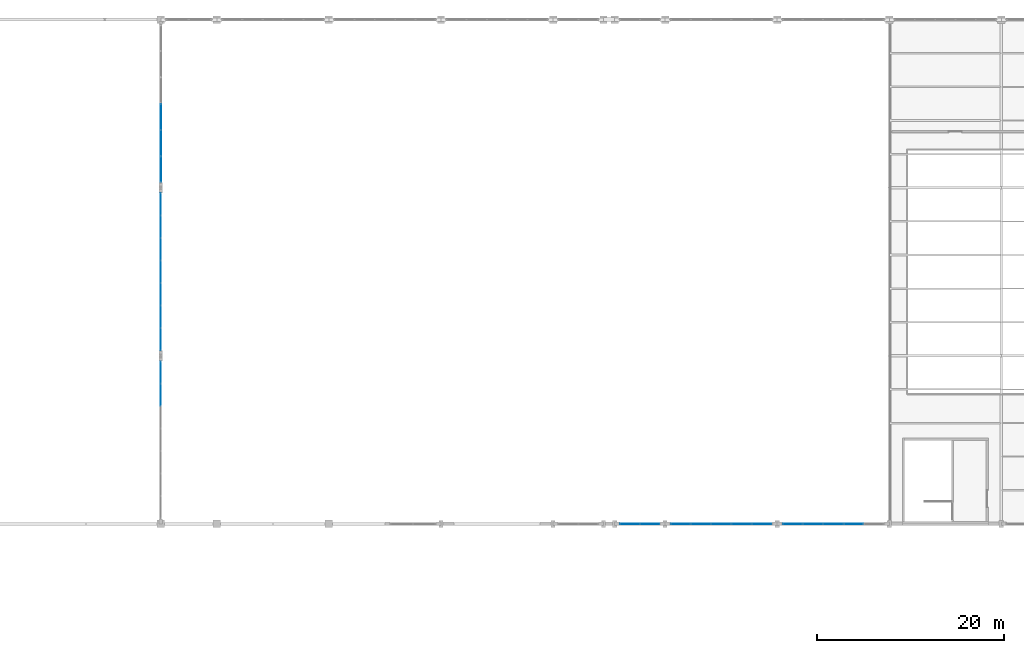
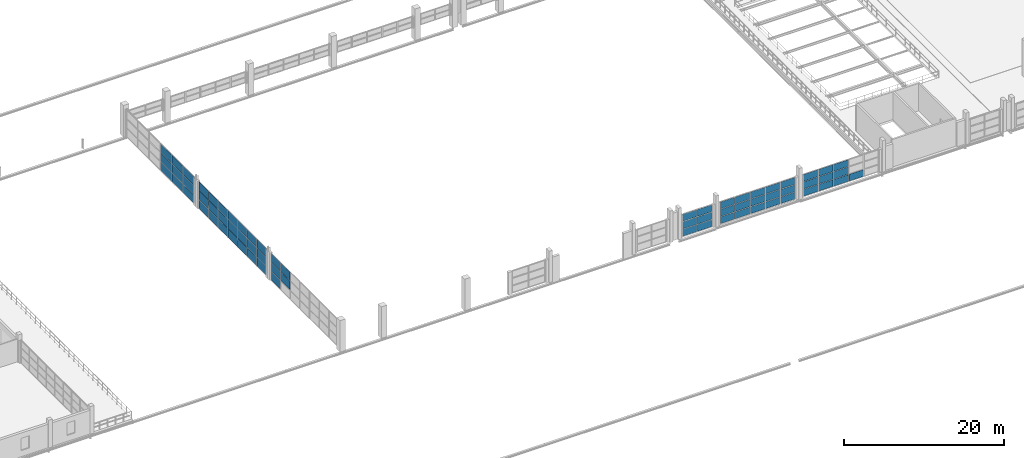
# One storey, part 71 of 86: 66 plates, 6 elements without a shape of their own.
"""IFC4 building model written with IfcOpenShell, lengths in metres."""

from ifc_helpers import new_model, si_unit, direction, frame, origin, origin_2d, place, context, subcontext, project, spatial, rectangle, extrude, material, layer, layer_set, type_object, element, aggregate, save


model = new_model("IFC4")

# Units and contexts
model_context = context("Model", 3, precision=1e-05, world=origin(), true_north=direction((0.0, 1.0)))
body_context = subcontext(model_context, "Body", "Model", "MODEL_VIEW")
ifc_project = project(units=[si_unit("LENGTHUNIT", "METRE"), si_unit("AREAUNIT", "SQUARE_METRE"), si_unit("VOLUMEUNIT", "CUBIC_METRE"), si_unit("PLANEANGLEUNIT", "RADIAN"), si_unit("MASSUNIT", "GRAM", prefix="KILO")], contexts=[model_context])

# Site, building, storey
site_placement = place(None, origin())
site = spatial("IfcSite", under=ifc_project, at=site_placement, CompositionType="ELEMENT")
building_placement = place(site_placement, origin())
building = spatial("IfcBuilding", under=site, at=building_placement, Name="Zilviju Railside Exhibition Hall", CompositionType="ELEMENT")
storey_placement = place(building_placement, frame((0.0, 0.0, 12.60009765625)))
storey = spatial("IfcBuildingStorey", under=building, at=storey_placement, Name="L04", CompositionType="ELEMENT", Elevation=12.60009765625)

# Curtain wall, plates
ifc_material_1 = material(Name="Thermally broken aluminium-steel triple-glazed curtain wall", Category="steel")
ifc_layer_1 = layer(ifc_material_1, 0.179931640625)
ifc_layer_set_1 = layer_set([ifc_layer_1], Name="Thermally broken aluminium-steel triple-glazed curtain wall")
curtain_wall_type_1 = type_object("IfcCurtainWallType", Name="CW-BAY-13", PredefinedType="USERDEFINED", material=ifc_layer_set_1)
curtain_wall_1_placement = place(storey_placement, origin())
curtain_wall_1 = element("IfcCurtainWall", 1, at=curtain_wall_1_placement, inside=storey, type_object=curtain_wall_type_1, Name="North Hall Garden Court Curtain Wall L04 (127..132)", ObjectType="GLAZED CURTAIN WALL", PredefinedType="USERDEFINED")
ifc_material_2 = material(Name="Laminated acoustic double-glazed porch unit", Category="glass")
ifc_layer_2 = layer(ifc_material_2, 0.031982421875)
ifc_layer_set_2 = layer_set([ifc_layer_2], Name="Laminated acoustic double-glazed porch unit")
plate_type_1 = type_object("IfcPlateType", Name="CWP-IGU-32", PredefinedType="CURTAIN_PANEL", material=ifc_layer_set_2)
plate_1_placement = place(storey_placement, frame((130.360107421875, 84.0, 0.059814453125), z_axis=(0.0, 0.0, 1.0), x_axis=(-1.0, 0.0, 0.0)))
plate_1 = element("IfcPlate", 2, at=plate_1_placement, type_object=plate_type_1, Name="CW-13 panel 1.1", PredefinedType="CURTAIN_PANEL", context=body_context, shape_type="SweptSolid", body=[
    extrude(rectangle(XDim=2.06005859375, YDim=0.031982421875, at=origin_2d()), origin(), (0.0, 0.0, 1.0), 1.06005859375),
])
plate_2_placement = place(storey_placement, frame((130.360107421875, 84.0, 1.1796875), z_axis=(0.0, 0.0, 1.0), x_axis=(-1.0, 0.0, 0.0)))
plate_2 = element("IfcPlate", 3, at=plate_2_placement, type_object=plate_type_1, Name="CW-13 panel 1.2", PredefinedType="CURTAIN_PANEL", context=body_context, shape_type="SweptSolid", body=[
    extrude(rectangle(XDim=2.06005859375, YDim=0.031982421875, at=origin_2d()), origin(), (0.0, 0.0, 1.0), 1.090087890625),
])
plate_3_placement = place(storey_placement, frame((130.360107421875, 84.0, 2.329833984375), z_axis=(0.0, 0.0, 1.0), x_axis=(-1.0, 0.0, 0.0)))
plate_3 = element("IfcPlate", 4, at=plate_3_placement, type_object=plate_type_1, Name="CW-13 panel 1.3", PredefinedType="CURTAIN_PANEL", context=body_context, shape_type="SweptSolid", body=[
    extrude(rectangle(XDim=2.06005859375, YDim=0.031982421875, at=origin_2d()), origin(), (0.0, 0.0, 1.0), 1.06005859375),
])
plate_4_placement = place(storey_placement, frame((128.239990234375, 84.0, 0.059814453125), z_axis=(0.0, 0.0, 1.0), x_axis=(-1.0, 0.0, 0.0)))
plate_4 = element("IfcPlate", 5, at=plate_4_placement, type_object=plate_type_1, Name="CW-13 panel 2.1", PredefinedType="CURTAIN_PANEL", context=body_context, shape_type="SweptSolid", body=[
    extrude(rectangle(XDim=2.06005859375, YDim=0.031982421875, at=origin_2d()), origin(), (0.0, 0.0, 1.0), 1.06005859375),
])
plate_5_placement = place(storey_placement, frame((128.239990234375, 84.0, 1.1796875), z_axis=(0.0, 0.0, 1.0), x_axis=(-1.0, 0.0, 0.0)))
plate_5 = element("IfcPlate", 6, at=plate_5_placement, type_object=plate_type_1, Name="CW-13 panel 2.2", PredefinedType="CURTAIN_PANEL", context=body_context, shape_type="SweptSolid", body=[
    extrude(rectangle(XDim=2.06005859375, YDim=0.031982421875, at=origin_2d()), origin(), (0.0, 0.0, 1.0), 1.090087890625),
])
plate_6_placement = place(storey_placement, frame((128.239990234375, 84.0, 2.329833984375), z_axis=(0.0, 0.0, 1.0), x_axis=(-1.0, 0.0, 0.0)))
plate_6 = element("IfcPlate", 7, at=plate_6_placement, type_object=plate_type_1, Name="CW-13 panel 2.3", PredefinedType="CURTAIN_PANEL", context=body_context, shape_type="SweptSolid", body=[
    extrude(rectangle(XDim=2.06005859375, YDim=0.031982421875, at=origin_2d()), origin(), (0.0, 0.0, 1.0), 1.06005859375),
])
aggregate(curtain_wall_1, [plate_1, plate_2, plate_3, plate_4, plate_5, plate_6])

ifc_layer_3 = layer(ifc_material_1, 0.179931640625)
ifc_layer_set_3 = layer_set([ifc_layer_3], Name="Thermally broken aluminium-steel triple-glazed curtain wall")
curtain_wall_type_2 = type_object("IfcCurtainWallType", Name="CW-BAY-17", PredefinedType="USERDEFINED", material=ifc_layer_set_3)
curtain_wall_2_placement = place(storey_placement, origin())
curtain_wall_2 = element("IfcCurtainWall", 8, at=curtain_wall_2_placement, inside=storey, type_object=curtain_wall_type_2, Name="North Hall West Upper Glazed Gable (102..120)", ObjectType="GLAZED CURTAIN WALL", PredefinedType="USERDEFINED")
plate_7_placement = place(storey_placement, frame((78.0, 103.772216796875, 0.059814453125), z_axis=(0.0, 0.0, 1.0), x_axis=(0.0, 1.0, 0.0)))
plate_7 = element("IfcPlate", 9, at=plate_7_placement, type_object=plate_type_1, Name="CW-17 panel 1.1", PredefinedType="CURTAIN_PANEL", context=body_context, shape_type="SweptSolid", body=[
    extrude(rectangle(XDim=2.32421875, YDim=0.031982421875, at=origin_2d()), origin(), (0.0, 0.0, 1.0), 1.31005859375),
])
plate_8_placement = place(storey_placement, frame((78.0, 103.772216796875, 1.4296875), z_axis=(0.0, 0.0, 1.0), x_axis=(0.0, 1.0, 0.0)))
plate_8 = element("IfcPlate", 10, at=plate_8_placement, type_object=plate_type_1, Name="CW-17 panel 1.2", PredefinedType="CURTAIN_PANEL", context=body_context, shape_type="SweptSolid", body=[
    extrude(rectangle(XDim=2.32421875, YDim=0.031982421875, at=origin_2d()), origin(), (0.0, 0.0, 1.0), 1.340087890625),
])
plate_9_placement = place(storey_placement, frame((78.0, 103.772216796875, 2.829833984375), z_axis=(0.0, 0.0, 1.0), x_axis=(0.0, 1.0, 0.0)))
plate_9 = element("IfcPlate", 11, at=plate_9_placement, type_object=plate_type_1, Name="CW-17 panel 1.3", PredefinedType="CURTAIN_PANEL", context=body_context, shape_type="SweptSolid", body=[
    extrude(rectangle(XDim=2.32421875, YDim=0.031982421875, at=origin_2d()), origin(), (0.0, 0.0, 1.0), 1.31005859375),
])
plate_10_placement = place(storey_placement, frame((78.0, 106.17138671875, 0.059814453125), z_axis=(0.0, 0.0, 1.0), x_axis=(0.0, 1.0, 0.0)))
plate_10 = element("IfcPlate", 12, at=plate_10_placement, type_object=plate_type_1, Name="CW-17 panel 2.1", PredefinedType="CURTAIN_PANEL", context=body_context, shape_type="SweptSolid", body=[
    extrude(rectangle(XDim=2.354248046875, YDim=0.031982421875, at=origin_2d()), origin(), (0.0, 0.0, 1.0), 1.31005859375),
])
plate_11_placement = place(storey_placement, frame((78.0, 106.17138671875, 1.4296875), z_axis=(0.0, 0.0, 1.0), x_axis=(0.0, 1.0, 0.0)))
plate_11 = element("IfcPlate", 13, at=plate_11_placement, type_object=plate_type_1, Name="CW-17 panel 2.2", PredefinedType="CURTAIN_PANEL", context=body_context, shape_type="SweptSolid", body=[
    extrude(rectangle(XDim=2.354248046875, YDim=0.031982421875, at=origin_2d()), origin(), (0.0, 0.0, 1.0), 1.340087890625),
])
plate_12_placement = place(storey_placement, frame((78.0, 106.17138671875, 2.829833984375), z_axis=(0.0, 0.0, 1.0), x_axis=(0.0, 1.0, 0.0)))
plate_12 = element("IfcPlate", 14, at=plate_12_placement, type_object=plate_type_1, Name="CW-17 panel 2.3", PredefinedType="CURTAIN_PANEL", context=body_context, shape_type="SweptSolid", body=[
    extrude(rectangle(XDim=2.354248046875, YDim=0.031982421875, at=origin_2d()), origin(), (0.0, 0.0, 1.0), 1.31005859375),
])
plate_13_placement = place(storey_placement, frame((78.0, 108.585693359375, 0.059814453125), z_axis=(0.0, 0.0, 1.0), x_axis=(0.0, 1.0, 0.0)))
plate_13 = element("IfcPlate", 15, at=plate_13_placement, type_object=plate_type_1, Name="CW-17 panel 3.1", PredefinedType="CURTAIN_PANEL", context=body_context, shape_type="SweptSolid", body=[
    extrude(rectangle(XDim=2.354248046875, YDim=0.031982421875, at=origin_2d()), origin(), (0.0, 0.0, 1.0), 1.31005859375),
])
plate_14_placement = place(storey_placement, frame((78.0, 108.585693359375, 1.4296875), z_axis=(0.0, 0.0, 1.0), x_axis=(0.0, 1.0, 0.0)))
plate_14 = element("IfcPlate", 16, at=plate_14_placement, type_object=plate_type_1, Name="CW-17 panel 3.2", PredefinedType="CURTAIN_PANEL", context=body_context, shape_type="SweptSolid", body=[
    extrude(rectangle(XDim=2.354248046875, YDim=0.031982421875, at=origin_2d()), origin(), (0.0, 0.0, 1.0), 1.340087890625),
])
plate_15_placement = place(storey_placement, frame((78.0, 108.585693359375, 2.829833984375), z_axis=(0.0, 0.0, 1.0), x_axis=(0.0, 1.0, 0.0)))
plate_15 = element("IfcPlate", 17, at=plate_15_placement, type_object=plate_type_1, Name="CW-17 panel 3.3", PredefinedType="CURTAIN_PANEL", context=body_context, shape_type="SweptSolid", body=[
    extrude(rectangle(XDim=2.354248046875, YDim=0.031982421875, at=origin_2d()), origin(), (0.0, 0.0, 1.0), 1.31005859375),
])
plate_16_placement = place(storey_placement, frame((78.0, 111.0, 0.059814453125), z_axis=(0.0, 0.0, 1.0), x_axis=(0.0, 1.0, 0.0)))
plate_16 = element("IfcPlate", 18, at=plate_16_placement, type_object=plate_type_1, Name="CW-17 panel 4.1", PredefinedType="CURTAIN_PANEL", context=body_context, shape_type="SweptSolid", body=[
    extrude(rectangle(XDim=2.354248046875, YDim=0.031982421875, at=origin_2d()), origin(), (0.0, 0.0, 1.0), 1.31005859375),
])
plate_17_placement = place(storey_placement, frame((78.0, 111.0, 1.4296875), z_axis=(0.0, 0.0, 1.0), x_axis=(0.0, 1.0, 0.0)))
plate_17 = element("IfcPlate", 19, at=plate_17_placement, type_object=plate_type_1, Name="CW-17 panel 4.2", PredefinedType="CURTAIN_PANEL", context=body_context, shape_type="SweptSolid", body=[
    extrude(rectangle(XDim=2.354248046875, YDim=0.031982421875, at=origin_2d()), origin(), (0.0, 0.0, 1.0), 1.340087890625),
])
plate_18_placement = place(storey_placement, frame((78.0, 111.0, 2.829833984375), z_axis=(0.0, 0.0, 1.0), x_axis=(0.0, 1.0, 0.0)))
plate_18 = element("IfcPlate", 20, at=plate_18_placement, type_object=plate_type_1, Name="CW-17 panel 4.3", PredefinedType="CURTAIN_PANEL", context=body_context, shape_type="SweptSolid", body=[
    extrude(rectangle(XDim=2.354248046875, YDim=0.031982421875, at=origin_2d()), origin(), (0.0, 0.0, 1.0), 1.31005859375),
])
plate_19_placement = place(storey_placement, frame((78.0, 113.414306640625, 0.059814453125), z_axis=(0.0, 0.0, 1.0), x_axis=(0.0, 1.0, 0.0)))
plate_19 = element("IfcPlate", 21, at=plate_19_placement, type_object=plate_type_1, Name="CW-17 panel 5.1", PredefinedType="CURTAIN_PANEL", context=body_context, shape_type="SweptSolid", body=[
    extrude(rectangle(XDim=2.354248046875, YDim=0.031982421875, at=origin_2d()), origin(), (0.0, 0.0, 1.0), 1.31005859375),
])
plate_20_placement = place(storey_placement, frame((78.0, 113.414306640625, 1.4296875), z_axis=(0.0, 0.0, 1.0), x_axis=(0.0, 1.0, 0.0)))
plate_20 = element("IfcPlate", 22, at=plate_20_placement, type_object=plate_type_1, Name="CW-17 panel 5.2", PredefinedType="CURTAIN_PANEL", context=body_context, shape_type="SweptSolid", body=[
    extrude(rectangle(XDim=2.354248046875, YDim=0.031982421875, at=origin_2d()), origin(), (0.0, 0.0, 1.0), 1.340087890625),
])
plate_21_placement = place(storey_placement, frame((78.0, 113.414306640625, 2.829833984375), z_axis=(0.0, 0.0, 1.0), x_axis=(0.0, 1.0, 0.0)))
plate_21 = element("IfcPlate", 23, at=plate_21_placement, type_object=plate_type_1, Name="CW-17 panel 5.3", PredefinedType="CURTAIN_PANEL", context=body_context, shape_type="SweptSolid", body=[
    extrude(rectangle(XDim=2.354248046875, YDim=0.031982421875, at=origin_2d()), origin(), (0.0, 0.0, 1.0), 1.31005859375),
])
plate_22_placement = place(storey_placement, frame((78.0, 115.82861328125, 0.059814453125), z_axis=(0.0, 0.0, 1.0), x_axis=(0.0, 1.0, 0.0)))
plate_22 = element("IfcPlate", 24, at=plate_22_placement, type_object=plate_type_1, Name="CW-17 panel 6.1", PredefinedType="CURTAIN_PANEL", context=body_context, shape_type="SweptSolid", body=[
    extrude(rectangle(XDim=2.354248046875, YDim=0.031982421875, at=origin_2d()), origin(), (0.0, 0.0, 1.0), 1.31005859375),
])
plate_23_placement = place(storey_placement, frame((78.0, 115.82861328125, 1.4296875), z_axis=(0.0, 0.0, 1.0), x_axis=(0.0, 1.0, 0.0)))
plate_23 = element("IfcPlate", 25, at=plate_23_placement, type_object=plate_type_1, Name="CW-17 panel 6.2", PredefinedType="CURTAIN_PANEL", context=body_context, shape_type="SweptSolid", body=[
    extrude(rectangle(XDim=2.354248046875, YDim=0.031982421875, at=origin_2d()), origin(), (0.0, 0.0, 1.0), 1.340087890625),
])
plate_24_placement = place(storey_placement, frame((78.0, 115.82861328125, 2.829833984375), z_axis=(0.0, 0.0, 1.0), x_axis=(0.0, 1.0, 0.0)))
plate_24 = element("IfcPlate", 26, at=plate_24_placement, type_object=plate_type_1, Name="CW-17 panel 6.3", PredefinedType="CURTAIN_PANEL", context=body_context, shape_type="SweptSolid", body=[
    extrude(rectangle(XDim=2.354248046875, YDim=0.031982421875, at=origin_2d()), origin(), (0.0, 0.0, 1.0), 1.31005859375),
])
plate_25_placement = place(storey_placement, frame((78.0, 118.227783203125, 0.059814453125), z_axis=(0.0, 0.0, 1.0), x_axis=(0.0, 1.0, 0.0)))
plate_25 = element("IfcPlate", 27, at=plate_25_placement, type_object=plate_type_1, Name="CW-17 panel 7.1", PredefinedType="CURTAIN_PANEL", context=body_context, shape_type="SweptSolid", body=[
    extrude(rectangle(XDim=2.32421875, YDim=0.031982421875, at=origin_2d()), origin(), (0.0, 0.0, 1.0), 1.31005859375),
])
plate_26_placement = place(storey_placement, frame((78.0, 118.227783203125, 1.4296875), z_axis=(0.0, 0.0, 1.0), x_axis=(0.0, 1.0, 0.0)))
plate_26 = element("IfcPlate", 28, at=plate_26_placement, type_object=plate_type_1, Name="CW-17 panel 7.2", PredefinedType="CURTAIN_PANEL", context=body_context, shape_type="SweptSolid", body=[
    extrude(rectangle(XDim=2.32421875, YDim=0.031982421875, at=origin_2d()), origin(), (0.0, 0.0, 1.0), 1.340087890625),
])
plate_27_placement = place(storey_placement, frame((78.0, 118.227783203125, 2.829833984375), z_axis=(0.0, 0.0, 1.0), x_axis=(0.0, 1.0, 0.0)))
plate_27 = element("IfcPlate", 29, at=plate_27_placement, type_object=plate_type_1, Name="CW-17 panel 7.3", PredefinedType="CURTAIN_PANEL", context=body_context, shape_type="SweptSolid", body=[
    extrude(rectangle(XDim=2.32421875, YDim=0.031982421875, at=origin_2d()), origin(), (0.0, 0.0, 1.0), 1.31005859375),
])
aggregate(curtain_wall_2, [plate_7, plate_8, plate_9, plate_10, plate_11, plate_12, plate_13, plate_14, plate_15, plate_16, plate_17, plate_18, plate_19, plate_20, plate_21, plate_22, plate_23, plate_24, plate_25, plate_26, plate_27])

ifc_layer_4 = layer(ifc_material_1, 0.179931640625)
ifc_layer_set_4 = layer_set([ifc_layer_4], Name="Thermally broken aluminium-steel triple-glazed curtain wall")
curtain_wall_type_3 = type_object("IfcCurtainWallType", Name="CW-BAY-16", PredefinedType="USERDEFINED", material=ifc_layer_set_4)
curtain_wall_3_placement = place(storey_placement, origin())
curtain_wall_3 = element("IfcCurtainWall", 30, at=curtain_wall_3_placement, inside=storey, type_object=curtain_wall_type_3, Name="North Hall West Upper Glazed Gable (84..102)", ObjectType="GLAZED CURTAIN WALL", PredefinedType="USERDEFINED")
ifc_material_3 = material(Name="Triple-glazed solar-control glass unit", Category="glass")
ifc_layer_5 = layer(ifc_material_3, 0.0380859375)
ifc_layer_set_5 = layer_set([ifc_layer_5], Name="Triple-glazed solar-control glass unit")
plate_type_2 = type_object("IfcPlateType", Name="CWP-IGU-38", PredefinedType="CURTAIN_PANEL", material=ifc_layer_set_5)
plate_28_placement = place(storey_placement, frame((78.0, 97.82861328125, 1.432373046875), z_axis=(0.0, 0.0, 1.0), x_axis=(0.0, 1.0, 0.0)))
plate_28 = element("IfcPlate", 31, at=plate_28_placement, type_object=plate_type_2, Name="CW-16 panel 6.2", PredefinedType="CURTAIN_PANEL", context=body_context, shape_type="SweptSolid", body=[
    extrude(rectangle(XDim=2.349365234375, YDim=0.0380859375, at=origin_2d()), origin(), (0.0, 0.0, 1.0), 1.3349609375),
])
plate_29_placement = place(storey_placement, frame((78.0, 97.82861328125, 2.83251953125), z_axis=(0.0, 0.0, 1.0), x_axis=(0.0, 1.0, 0.0)))
plate_29 = element("IfcPlate", 32, at=plate_29_placement, type_object=plate_type_2, Name="CW-16 panel 6.3", PredefinedType="CURTAIN_PANEL", context=body_context, shape_type="SweptSolid", body=[
    extrude(rectangle(XDim=2.349365234375, YDim=0.0380859375, at=origin_2d()), origin(), (0.0, 0.0, 1.0), 1.302490234375),
])
plate_30_placement = place(storey_placement, frame((78.0, 100.2265625, 0.06494140625), z_axis=(0.0, 0.0, 1.0), x_axis=(0.0, 1.0, 0.0)))
plate_30 = element("IfcPlate", 33, at=plate_30_placement, type_object=plate_type_2, Name="CW-16 panel 7.1", PredefinedType="CURTAIN_PANEL", context=body_context, shape_type="SweptSolid", body=[
    extrude(rectangle(XDim=2.31689453125, YDim=0.0380859375, at=origin_2d()), origin(), (0.0, 0.0, 1.0), 1.302490234375),
])
plate_31_placement = place(storey_placement, frame((78.0, 100.2265625, 1.432373046875), z_axis=(0.0, 0.0, 1.0), x_axis=(0.0, 1.0, 0.0)))
plate_31 = element("IfcPlate", 34, at=plate_31_placement, type_object=plate_type_2, Name="CW-16 panel 7.2", PredefinedType="CURTAIN_PANEL", context=body_context, shape_type="SweptSolid", body=[
    extrude(rectangle(XDim=2.31689453125, YDim=0.0380859375, at=origin_2d()), origin(), (0.0, 0.0, 1.0), 1.3349609375),
])
plate_32_placement = place(storey_placement, frame((78.0, 100.2265625, 2.83251953125), z_axis=(0.0, 0.0, 1.0), x_axis=(0.0, 1.0, 0.0)))
plate_32 = element("IfcPlate", 35, at=plate_32_placement, type_object=plate_type_2, Name="CW-16 panel 7.3", PredefinedType="CURTAIN_PANEL", context=body_context, shape_type="SweptSolid", body=[
    extrude(rectangle(XDim=2.31689453125, YDim=0.0380859375, at=origin_2d()), origin(), (0.0, 0.0, 1.0), 1.302490234375),
])
aggregate(curtain_wall_3, [plate_28, plate_29, plate_30, plate_31, plate_32])

ifc_layer_6 = layer(ifc_material_1, 0.179931640625)
ifc_layer_set_6 = layer_set([ifc_layer_6], Name="Thermally broken aluminium-steel triple-glazed curtain wall")
curtain_wall_type_4 = type_object("IfcCurtainWallType", Name="CW-BAY-14", PredefinedType="USERDEFINED", material=ifc_layer_set_6)
curtain_wall_4_placement = place(storey_placement, origin())
curtain_wall_4 = element("IfcCurtainWall", 36, at=curtain_wall_4_placement, inside=storey, type_object=curtain_wall_type_4, Name="North Hall Garden Court Curtain Wall L04 (132..144)", ObjectType="GLAZED CURTAIN WALL", PredefinedType="USERDEFINED")
ifc_material_4 = material(Name="Insulated cobalt-blue enamelled spandrel glass panel", Category="glass")
ifc_layer_7 = layer(ifc_material_4, 0.052001953125)
ifc_layer_set_7 = layer_set([ifc_layer_7], Name="Insulated cobalt-blue enamelled spandrel glass panel")
plate_type_3 = type_object("IfcPlateType", Name="CWP-SPD-52", PredefinedType="CURTAIN_PANEL", material=ifc_layer_set_7)
plate_33_placement = place(storey_placement, frame((142.340087890625, 84.0, 0.080078125), z_axis=(0.0, 0.0, 1.0), x_axis=(-1.0, 0.0, 0.0)))
plate_33 = element("IfcPlate", 37, at=plate_33_placement, type_object=plate_type_3, Name="CW-14 panel 1.1", PredefinedType="CURTAIN_PANEL", context=body_context, shape_type="SweptSolid", body=[
    extrude(rectangle(XDim=2.06005859375, YDim=0.052001953125, at=origin_2d()), origin(), (0.0, 0.0, 1.0), 1.030029296875),
])
plate_34_placement = place(storey_placement, frame((142.340087890625, 84.0, 1.18994140625), z_axis=(0.0, 0.0, 1.0), x_axis=(-1.0, 0.0, 0.0)))
plate_34 = element("IfcPlate", 38, at=plate_34_placement, type_object=plate_type_3, Name="CW-14 panel 1.2", PredefinedType="CURTAIN_PANEL", context=body_context, shape_type="SweptSolid", body=[
    extrude(rectangle(XDim=2.06005859375, YDim=0.052001953125, at=origin_2d()), origin(), (0.0, 0.0, 1.0), 1.070068359375),
])
plate_35_placement = place(storey_placement, frame((142.340087890625, 84.0, 2.33984375), z_axis=(0.0, 0.0, 1.0), x_axis=(-1.0, 0.0, 0.0)))
plate_35 = element("IfcPlate", 39, at=plate_35_placement, type_object=plate_type_3, Name="CW-14 panel 1.3", PredefinedType="CURTAIN_PANEL", context=body_context, shape_type="SweptSolid", body=[
    extrude(rectangle(XDim=2.06005859375, YDim=0.052001953125, at=origin_2d()), origin(), (0.0, 0.0, 1.0), 1.030029296875),
])
plate_36_placement = place(storey_placement, frame((140.179931640625, 84.0, 0.080078125), z_axis=(0.0, 0.0, 1.0), x_axis=(-1.0, 0.0, 0.0)))
plate_36 = element("IfcPlate", 40, at=plate_36_placement, type_object=plate_type_3, Name="CW-14 panel 2.1", PredefinedType="CURTAIN_PANEL", context=body_context, shape_type="SweptSolid", body=[
    extrude(rectangle(XDim=2.10009765625, YDim=0.052001953125, at=origin_2d()), origin(), (0.0, 0.0, 1.0), 1.030029296875),
])
plate_37_placement = place(storey_placement, frame((140.179931640625, 84.0, 1.18994140625), z_axis=(0.0, 0.0, 1.0), x_axis=(-1.0, 0.0, 0.0)))
plate_37 = element("IfcPlate", 41, at=plate_37_placement, type_object=plate_type_3, Name="CW-14 panel 2.2", PredefinedType="CURTAIN_PANEL", context=body_context, shape_type="SweptSolid", body=[
    extrude(rectangle(XDim=2.10009765625, YDim=0.052001953125, at=origin_2d()), origin(), (0.0, 0.0, 1.0), 1.070068359375),
])
plate_38_placement = place(storey_placement, frame((140.179931640625, 84.0, 2.33984375), z_axis=(0.0, 0.0, 1.0), x_axis=(-1.0, 0.0, 0.0)))
plate_38 = element("IfcPlate", 42, at=plate_38_placement, type_object=plate_type_3, Name="CW-14 panel 2.3", PredefinedType="CURTAIN_PANEL", context=body_context, shape_type="SweptSolid", body=[
    extrude(rectangle(XDim=2.10009765625, YDim=0.052001953125, at=origin_2d()), origin(), (0.0, 0.0, 1.0), 1.030029296875),
])
plate_39_placement = place(storey_placement, frame((138.0, 84.0, 0.080078125), z_axis=(0.0, 0.0, 1.0), x_axis=(-1.0, 0.0, 0.0)))
plate_39 = element("IfcPlate", 43, at=plate_39_placement, type_object=plate_type_3, Name="CW-14 panel 3.1", PredefinedType="CURTAIN_PANEL", context=body_context, shape_type="SweptSolid", body=[
    extrude(rectangle(XDim=2.10009765625, YDim=0.052001953125, at=origin_2d()), origin(), (0.0, 0.0, 1.0), 1.030029296875),
])
plate_40_placement = place(storey_placement, frame((138.0, 84.0, 1.18994140625), z_axis=(0.0, 0.0, 1.0), x_axis=(-1.0, 0.0, 0.0)))
plate_40 = element("IfcPlate", 44, at=plate_40_placement, type_object=plate_type_3, Name="CW-14 panel 3.2", PredefinedType="CURTAIN_PANEL", context=body_context, shape_type="SweptSolid", body=[
    extrude(rectangle(XDim=2.10009765625, YDim=0.052001953125, at=origin_2d()), origin(), (0.0, 0.0, 1.0), 1.070068359375),
])
plate_41_placement = place(storey_placement, frame((138.0, 84.0, 2.33984375), z_axis=(0.0, 0.0, 1.0), x_axis=(-1.0, 0.0, 0.0)))
plate_41 = element("IfcPlate", 45, at=plate_41_placement, type_object=plate_type_3, Name="CW-14 panel 3.3", PredefinedType="CURTAIN_PANEL", context=body_context, shape_type="SweptSolid", body=[
    extrude(rectangle(XDim=2.10009765625, YDim=0.052001953125, at=origin_2d()), origin(), (0.0, 0.0, 1.0), 1.030029296875),
])
plate_42_placement = place(storey_placement, frame((135.820068359375, 84.0, 0.080078125), z_axis=(0.0, 0.0, 1.0), x_axis=(-1.0, 0.0, 0.0)))
plate_42 = element("IfcPlate", 46, at=plate_42_placement, type_object=plate_type_3, Name="CW-14 panel 4.1", PredefinedType="CURTAIN_PANEL", context=body_context, shape_type="SweptSolid", body=[
    extrude(rectangle(XDim=2.10009765625, YDim=0.052001953125, at=origin_2d()), origin(), (0.0, 0.0, 1.0), 1.030029296875),
])
plate_43_placement = place(storey_placement, frame((135.820068359375, 84.0, 1.18994140625), z_axis=(0.0, 0.0, 1.0), x_axis=(-1.0, 0.0, 0.0)))
plate_43 = element("IfcPlate", 47, at=plate_43_placement, type_object=plate_type_3, Name="CW-14 panel 4.2", PredefinedType="CURTAIN_PANEL", context=body_context, shape_type="SweptSolid", body=[
    extrude(rectangle(XDim=2.10009765625, YDim=0.052001953125, at=origin_2d()), origin(), (0.0, 0.0, 1.0), 1.070068359375),
])
plate_44_placement = place(storey_placement, frame((135.820068359375, 84.0, 2.33984375), z_axis=(0.0, 0.0, 1.0), x_axis=(-1.0, 0.0, 0.0)))
plate_44 = element("IfcPlate", 48, at=plate_44_placement, type_object=plate_type_3, Name="CW-14 panel 4.3", PredefinedType="CURTAIN_PANEL", context=body_context, shape_type="SweptSolid", body=[
    extrude(rectangle(XDim=2.10009765625, YDim=0.052001953125, at=origin_2d()), origin(), (0.0, 0.0, 1.0), 1.030029296875),
])
plate_45_placement = place(storey_placement, frame((133.659912109375, 84.0, 0.080078125), z_axis=(0.0, 0.0, 1.0), x_axis=(-1.0, 0.0, 0.0)))
plate_45 = element("IfcPlate", 49, at=plate_45_placement, type_object=plate_type_3, Name="CW-14 panel 5.1", PredefinedType="CURTAIN_PANEL", context=body_context, shape_type="SweptSolid", body=[
    extrude(rectangle(XDim=2.06005859375, YDim=0.052001953125, at=origin_2d()), origin(), (0.0, 0.0, 1.0), 1.030029296875),
])
plate_46_placement = place(storey_placement, frame((133.659912109375, 84.0, 1.18994140625), z_axis=(0.0, 0.0, 1.0), x_axis=(-1.0, 0.0, 0.0)))
plate_46 = element("IfcPlate", 50, at=plate_46_placement, type_object=plate_type_3, Name="CW-14 panel 5.2", PredefinedType="CURTAIN_PANEL", context=body_context, shape_type="SweptSolid", body=[
    extrude(rectangle(XDim=2.06005859375, YDim=0.052001953125, at=origin_2d()), origin(), (0.0, 0.0, 1.0), 1.070068359375),
])
plate_47_placement = place(storey_placement, frame((133.659912109375, 84.0, 2.33984375), z_axis=(0.0, 0.0, 1.0), x_axis=(-1.0, 0.0, 0.0)))
plate_47 = element("IfcPlate", 51, at=plate_47_placement, type_object=plate_type_3, Name="CW-14 panel 5.3", PredefinedType="CURTAIN_PANEL", context=body_context, shape_type="SweptSolid", body=[
    extrude(rectangle(XDim=2.06005859375, YDim=0.052001953125, at=origin_2d()), origin(), (0.0, 0.0, 1.0), 1.030029296875),
])
aggregate(curtain_wall_4, [plate_33, plate_34, plate_35, plate_36, plate_37, plate_38, plate_39, plate_40, plate_41, plate_42, plate_43, plate_44, plate_45, plate_46, plate_47])

ifc_layer_8 = layer(ifc_material_1, 0.179931640625)
ifc_layer_set_8 = layer_set([ifc_layer_8], Name="Thermally broken aluminium-steel triple-glazed curtain wall")
curtain_wall_type_5 = type_object("IfcCurtainWallType", Name="CW-BAY-18", PredefinedType="USERDEFINED", material=ifc_layer_set_8)
curtain_wall_5_placement = place(storey_placement, origin())
curtain_wall_5 = element("IfcCurtainWall", 52, at=curtain_wall_5_placement, inside=storey, type_object=curtain_wall_type_5, Name="North Hall West Upper Glazed Gable (120..138)", ObjectType="GLAZED CURTAIN WALL", PredefinedType="USERDEFINED")
plate_48_placement = place(storey_placement, frame((78.0, 121.978271484375, 0.080078125), z_axis=(0.0, 0.0, 1.0), x_axis=(0.0, 1.0, 0.0)))
plate_48 = element("IfcPlate", 53, at=plate_48_placement, type_object=plate_type_3, Name="CW-18 panel 1.1", PredefinedType="CURTAIN_PANEL", context=body_context, shape_type="SweptSolid", body=[
    extrude(rectangle(XDim=2.69677734375, YDim=0.052001953125, at=origin_2d()), origin(), (0.0, 0.0, 1.0), 1.280029296875),
])
plate_49_placement = place(storey_placement, frame((78.0, 121.978271484375, 1.43994140625), z_axis=(0.0, 0.0, 1.0), x_axis=(0.0, 1.0, 0.0)))
plate_49 = element("IfcPlate", 54, at=plate_49_placement, type_object=plate_type_3, Name="CW-18 panel 1.2", PredefinedType="CURTAIN_PANEL", context=body_context, shape_type="SweptSolid", body=[
    extrude(rectangle(XDim=2.69677734375, YDim=0.052001953125, at=origin_2d()), origin(), (0.0, 0.0, 1.0), 1.320068359375),
])
plate_50_placement = place(storey_placement, frame((78.0, 121.978271484375, 2.83984375), z_axis=(0.0, 0.0, 1.0), x_axis=(0.0, 1.0, 0.0)))
plate_50 = element("IfcPlate", 55, at=plate_50_placement, type_object=plate_type_3, Name="CW-18 panel 1.3", PredefinedType="CURTAIN_PANEL", context=body_context, shape_type="SweptSolid", body=[
    extrude(rectangle(XDim=2.69677734375, YDim=0.052001953125, at=origin_2d()), origin(), (0.0, 0.0, 1.0), 1.280029296875),
])
plate_51_placement = place(storey_placement, frame((78.0, 124.77490234375, 0.080078125), z_axis=(0.0, 0.0, 1.0), x_axis=(0.0, 1.0, 0.0)))
plate_51 = element("IfcPlate", 56, at=plate_51_placement, type_object=plate_type_3, Name="CW-18 panel 2.1", PredefinedType="CURTAIN_PANEL", context=body_context, shape_type="SweptSolid", body=[
    extrude(rectangle(XDim=2.736572265625, YDim=0.052001953125, at=origin_2d()), origin(), (0.0, 0.0, 1.0), 1.280029296875),
])
plate_52_placement = place(storey_placement, frame((78.0, 124.77490234375, 1.43994140625), z_axis=(0.0, 0.0, 1.0), x_axis=(0.0, 1.0, 0.0)))
plate_52 = element("IfcPlate", 57, at=plate_52_placement, type_object=plate_type_3, Name="CW-18 panel 2.2", PredefinedType="CURTAIN_PANEL", context=body_context, shape_type="SweptSolid", body=[
    extrude(rectangle(XDim=2.736572265625, YDim=0.052001953125, at=origin_2d()), origin(), (0.0, 0.0, 1.0), 1.320068359375),
])
plate_53_placement = place(storey_placement, frame((78.0, 124.77490234375, 2.83984375), z_axis=(0.0, 0.0, 1.0), x_axis=(0.0, 1.0, 0.0)))
plate_53 = element("IfcPlate", 58, at=plate_53_placement, type_object=plate_type_3, Name="CW-18 panel 2.3", PredefinedType="CURTAIN_PANEL", context=body_context, shape_type="SweptSolid", body=[
    extrude(rectangle(XDim=2.736572265625, YDim=0.052001953125, at=origin_2d()), origin(), (0.0, 0.0, 1.0), 1.280029296875),
])
plate_54_placement = place(storey_placement, frame((78.0, 127.591552734375, 0.080078125), z_axis=(0.0, 0.0, 1.0), x_axis=(0.0, 1.0, 0.0)))
plate_54 = element("IfcPlate", 59, at=plate_54_placement, type_object=plate_type_3, Name="CW-18 panel 3.1", PredefinedType="CURTAIN_PANEL", context=body_context, shape_type="SweptSolid", body=[
    extrude(rectangle(XDim=2.736572265625, YDim=0.052001953125, at=origin_2d()), origin(), (0.0, 0.0, 1.0), 1.280029296875),
])
plate_55_placement = place(storey_placement, frame((78.0, 127.591552734375, 1.43994140625), z_axis=(0.0, 0.0, 1.0), x_axis=(0.0, 1.0, 0.0)))
plate_55 = element("IfcPlate", 60, at=plate_55_placement, type_object=plate_type_3, Name="CW-18 panel 3.2", PredefinedType="CURTAIN_PANEL", context=body_context, shape_type="SweptSolid", body=[
    extrude(rectangle(XDim=2.736572265625, YDim=0.052001953125, at=origin_2d()), origin(), (0.0, 0.0, 1.0), 1.320068359375),
])
plate_56_placement = place(storey_placement, frame((78.0, 127.591552734375, 2.83984375), z_axis=(0.0, 0.0, 1.0), x_axis=(0.0, 1.0, 0.0)))
plate_56 = element("IfcPlate", 61, at=plate_56_placement, type_object=plate_type_3, Name="CW-18 panel 3.3", PredefinedType="CURTAIN_PANEL", context=body_context, shape_type="SweptSolid", body=[
    extrude(rectangle(XDim=2.736572265625, YDim=0.052001953125, at=origin_2d()), origin(), (0.0, 0.0, 1.0), 1.280029296875),
])
aggregate(curtain_wall_5, [plate_48, plate_49, plate_50, plate_51, plate_52, plate_53, plate_54, plate_55, plate_56])

ifc_layer_9 = layer(ifc_material_1, 0.179931640625)
ifc_layer_set_9 = layer_set([ifc_layer_9], Name="Thermally broken aluminium-steel triple-glazed curtain wall")
curtain_wall_type_6 = type_object("IfcCurtainWallType", Name="CW-BAY-15", PredefinedType="USERDEFINED", material=ifc_layer_set_9)
curtain_wall_6_placement = place(storey_placement, origin())
curtain_wall_6 = element("IfcCurtainWall", 62, at=curtain_wall_6_placement, inside=storey, type_object=curtain_wall_type_6, Name="North Hall Garden Court Curtain Wall L04 (144..156)", ObjectType="GLAZED CURTAIN WALL", PredefinedType="USERDEFINED")
ifc_material_5 = material(Name="Insulated emerald ceramic-frit spandrel panel", Category="glass")
ifc_layer_10 = layer(ifc_material_5, 0.06396484375)
ifc_layer_set_10 = layer_set([ifc_layer_10], Name="Insulated emerald ceramic-frit spandrel panel")
plate_type_4 = type_object("IfcPlateType", Name="CWP-SPD-64", PredefinedType="CURTAIN_PANEL", material=ifc_layer_set_10)
plate_57_placement = place(storey_placement, frame((152.179931640625, 84.0, 0.074951171875), z_axis=(0.0, 0.0, 1.0), x_axis=(-1.0, 0.0, 0.0)))
plate_57 = element("IfcPlate", 63, at=plate_57_placement, type_object=plate_type_4, Name="CW-15 panel 2.1", PredefinedType="CURTAIN_PANEL", context=body_context, shape_type="SweptSolid", body=[
    extrude(rectangle(XDim=2.10498046875, YDim=0.06396484375, at=origin_2d()), origin(), (0.0, 0.0, 1.0), 1.03759765625),
])
plate_58_placement = place(storey_placement, frame((150.0, 84.0, 0.074951171875), z_axis=(0.0, 0.0, 1.0), x_axis=(-1.0, 0.0, 0.0)))
plate_58 = element("IfcPlate", 64, at=plate_58_placement, type_object=plate_type_4, Name="CW-15 panel 3.1", PredefinedType="CURTAIN_PANEL", context=body_context, shape_type="SweptSolid", body=[
    extrude(rectangle(XDim=2.10498046875, YDim=0.06396484375, at=origin_2d()), origin(), (0.0, 0.0, 1.0), 1.03759765625),
])
plate_59_placement = place(storey_placement, frame((150.0, 84.0, 1.1875), z_axis=(0.0, 0.0, 1.0), x_axis=(-1.0, 0.0, 0.0)))
plate_59 = element("IfcPlate", 65, at=plate_59_placement, type_object=plate_type_4, Name="CW-15 panel 3.2", PredefinedType="CURTAIN_PANEL", context=body_context, shape_type="SweptSolid", body=[
    extrude(rectangle(XDim=2.10498046875, YDim=0.06396484375, at=origin_2d()), origin(), (0.0, 0.0, 1.0), 1.074951171875),
])
plate_60_placement = place(storey_placement, frame((150.0, 84.0, 2.33740234375), z_axis=(0.0, 0.0, 1.0), x_axis=(-1.0, 0.0, 0.0)))
plate_60 = element("IfcPlate", 66, at=plate_60_placement, type_object=plate_type_4, Name="CW-15 panel 3.3", PredefinedType="CURTAIN_PANEL", context=body_context, shape_type="SweptSolid", body=[
    extrude(rectangle(XDim=2.10498046875, YDim=0.06396484375, at=origin_2d()), origin(), (0.0, 0.0, 1.0), 1.03759765625),
])
plate_61_placement = place(storey_placement, frame((147.820068359375, 84.0, 0.074951171875), z_axis=(0.0, 0.0, 1.0), x_axis=(-1.0, 0.0, 0.0)))
plate_61 = element("IfcPlate", 67, at=plate_61_placement, type_object=plate_type_4, Name="CW-15 panel 4.1", PredefinedType="CURTAIN_PANEL", context=body_context, shape_type="SweptSolid", body=[
    extrude(rectangle(XDim=2.10498046875, YDim=0.06396484375, at=origin_2d()), origin(), (0.0, 0.0, 1.0), 1.03759765625),
])
plate_62_placement = place(storey_placement, frame((147.820068359375, 84.0, 1.1875), z_axis=(0.0, 0.0, 1.0), x_axis=(-1.0, 0.0, 0.0)))
plate_62 = element("IfcPlate", 68, at=plate_62_placement, type_object=plate_type_4, Name="CW-15 panel 4.2", PredefinedType="CURTAIN_PANEL", context=body_context, shape_type="SweptSolid", body=[
    extrude(rectangle(XDim=2.10498046875, YDim=0.06396484375, at=origin_2d()), origin(), (0.0, 0.0, 1.0), 1.074951171875),
])
plate_63_placement = place(storey_placement, frame((147.820068359375, 84.0, 2.33740234375), z_axis=(0.0, 0.0, 1.0), x_axis=(-1.0, 0.0, 0.0)))
plate_63 = element("IfcPlate", 69, at=plate_63_placement, type_object=plate_type_4, Name="CW-15 panel 4.3", PredefinedType="CURTAIN_PANEL", context=body_context, shape_type="SweptSolid", body=[
    extrude(rectangle(XDim=2.10498046875, YDim=0.06396484375, at=origin_2d()), origin(), (0.0, 0.0, 1.0), 1.03759765625),
])
plate_64_placement = place(storey_placement, frame((145.65869140625, 84.0, 0.074951171875), z_axis=(0.0, 0.0, 1.0), x_axis=(-1.0, 0.0, 0.0)))
plate_64 = element("IfcPlate", 70, at=plate_64_placement, type_object=plate_type_4, Name="CW-15 panel 5.1", PredefinedType="CURTAIN_PANEL", context=body_context, shape_type="SweptSolid", body=[
    extrude(rectangle(XDim=2.0673828125, YDim=0.06396484375, at=origin_2d()), origin(), (0.0, 0.0, 1.0), 1.03759765625),
])
plate_65_placement = place(storey_placement, frame((145.65869140625, 84.0, 1.1875), z_axis=(0.0, 0.0, 1.0), x_axis=(-1.0, 0.0, 0.0)))
plate_65 = element("IfcPlate", 71, at=plate_65_placement, type_object=plate_type_4, Name="CW-15 panel 5.2", PredefinedType="CURTAIN_PANEL", context=body_context, shape_type="SweptSolid", body=[
    extrude(rectangle(XDim=2.0673828125, YDim=0.06396484375, at=origin_2d()), origin(), (0.0, 0.0, 1.0), 1.074951171875),
])
plate_66_placement = place(storey_placement, frame((145.65869140625, 84.0, 2.33740234375), z_axis=(0.0, 0.0, 1.0), x_axis=(-1.0, 0.0, 0.0)))
plate_66 = element("IfcPlate", 72, at=plate_66_placement, type_object=plate_type_4, Name="CW-15 panel 5.3", PredefinedType="CURTAIN_PANEL", context=body_context, shape_type="SweptSolid", body=[
    extrude(rectangle(XDim=2.0673828125, YDim=0.06396484375, at=origin_2d()), origin(), (0.0, 0.0, 1.0), 1.03759765625),
])
aggregate(curtain_wall_6, [plate_57, plate_58, plate_59, plate_60, plate_61, plate_62, plate_63, plate_64, plate_65, plate_66])

save(model, "model.ifc")
